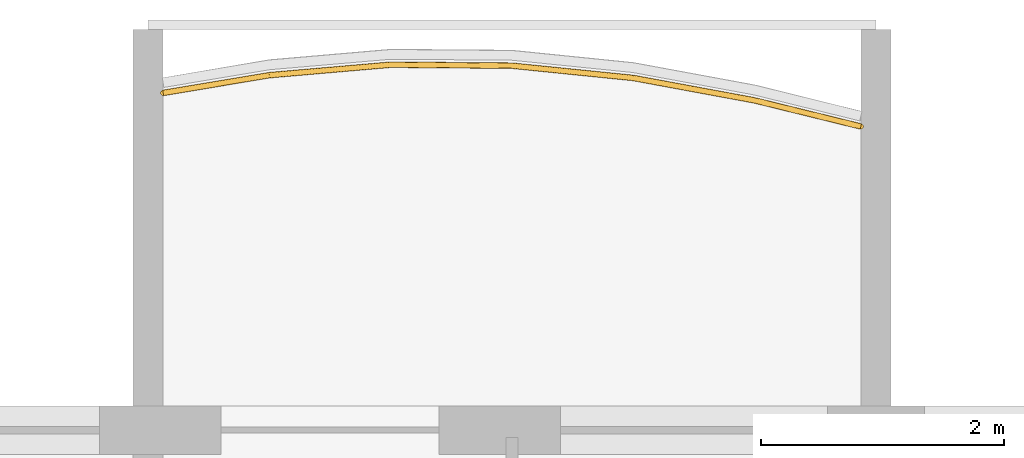
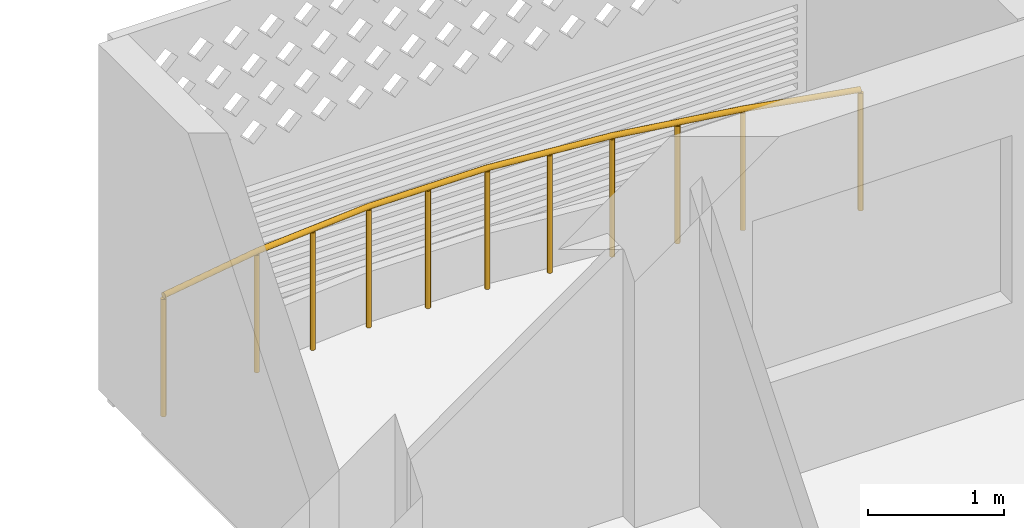
# One storey, part 20 of 27: 1 railing.
"""IFC4 building model written with IfcOpenShell, lengths in metres."""

from ifc_helpers import new_model, si_unit, direction, frame, origin, origin_2d, place, context, subcontext, project, spatial, circle, extrude, material, type_object, element, save


model = new_model("IFC4")

# Units and contexts
model_context = context("Model", 3, precision=1e-05, world=origin(), true_north=direction((0.0, 1.0)))
body_context = subcontext(model_context, "Body", "Model", "MODEL_VIEW")
ifc_project = project(units=[si_unit("LENGTHUNIT", "METRE"), si_unit("AREAUNIT", "SQUARE_METRE"), si_unit("VOLUMEUNIT", "CUBIC_METRE"), si_unit("PLANEANGLEUNIT", "RADIAN"), si_unit("MASSUNIT", "GRAM", prefix="KILO")], contexts=[model_context])

# Site, building, storey
site_placement = place(None, origin())
site = spatial("IfcSite", under=ifc_project, at=site_placement, CompositionType="ELEMENT")
building_placement = place(site_placement, origin())
building = spatial("IfcBuilding", under=site, at=building_placement, Name="Poui Terraces", CompositionType="ELEMENT")
storey_placement = place(building_placement, frame((0.0, 0.0, 195.0)))
storey = spatial("IfcBuildingStorey", under=building, at=storey_placement, Name="L54", CompositionType="ELEMENT", Elevation=195.0)

# Railing
ifc_material = material(Name="Painted steel fretwork", Category="steel")
railing_type = type_object("IfcRailingType", Name="BALCONY GUARD 1100", PredefinedType="GUARDRAIL", material=ifc_material)
railing_placement = place(storey_placement, frame((42.125, 43.97900390625, 0.0)))
element("IfcRailing", 1, at=railing_placement, inside=storey, type_object=railing_type, Name="BALCONY GUARD", PredefinedType="GUARDRAIL", context=body_context, shape_type="SweptSolid", body=[
    extrude(circle(Radius=0.02392578125, at=origin_2d()), frame((0.0, 0.0, 1.076171875), z_axis=(0.986319444302, 0.164845241947, 0.0), x_axis=(-0.164845241947, 0.986319444302, 0.0)), (0.0, 0.0, 1.0), 0.88720703125),
    extrude(circle(Radius=0.02392578125, at=origin_2d()), frame((0.875, 0.146240234375, 1.076171875), z_axis=(0.996286084847, 0.086104803231, 0.0), x_axis=(-0.086104803231, 0.996286084847, 0.0)), (0.0, 0.0, 1.0), 1.003662109375),
    extrude(circle(Radius=0.02392578125, at=origin_2d()), frame((1.875, 0.232666015625, 1.076171875), z_axis=(0.999967546851, -0.008056379162, 0.0), x_axis=(0.008056379162, 0.999967546851, 0.0)), (0.0, 0.0, 1.0), 1.0),
    extrude(circle(Radius=0.02392578125, at=origin_2d()), frame((2.875, 0.224609375, 1.076171875), z_axis=(0.994906476978, -0.100802291979, 0.0), x_axis=(0.100802291979, 0.994906476978, 0.0)), (0.0, 0.0, 1.0), 1.005126953125),
    extrude(circle(Radius=0.02392578125, at=origin_2d()), frame((3.875, 0.123291015625, 1.076171875), z_axis=(0.983347214192, -0.181736777623, 0.0), x_axis=(0.181736777623, 0.983347214192, 0.0)), (0.0, 0.0, 1.0), 1.016845703125),
    extrude(circle(Radius=0.02392578125, at=origin_2d()), frame((4.875, -0.0615234375, 1.076171875), z_axis=(0.971154038522, -0.23845300053, 0.0), x_axis=(0.23845300053, 0.971154038522, 0.0)), (0.0, 0.0, 1.0), 0.90087890625),
    extrude(circle(Radius=0.02099609375, at=origin_2d()), origin(), (0.0, 0.0, 1.0), 1.052001953125),
    extrude(circle(Radius=0.02099609375, at=origin_2d()), frame((0.875, 0.146240234375, 0.0)), (0.0, 0.0, 1.0), 1.052001953125),
    extrude(circle(Radius=0.02099609375, at=origin_2d()), frame((1.375, 0.189453125, 0.0)), (0.0, 0.0, 1.0), 1.052001953125),
    extrude(circle(Radius=0.02099609375, at=origin_2d()), frame((1.875, 0.232666015625, 0.0)), (0.0, 0.0, 1.0), 1.052001953125),
    extrude(circle(Radius=0.02099609375, at=origin_2d()), frame((2.375, 0.228515625, 0.0)), (0.0, 0.0, 1.0), 1.052001953125),
    extrude(circle(Radius=0.02099609375, at=origin_2d()), frame((2.875, 0.224609375, 0.0)), (0.0, 0.0, 1.0), 1.052001953125),
    extrude(circle(Radius=0.02099609375, at=origin_2d()), frame((3.375, 0.173828125, 0.0)), (0.0, 0.0, 1.0), 1.052001953125),
    extrude(circle(Radius=0.02099609375, at=origin_2d()), frame((3.875, 0.123291015625, 0.0)), (0.0, 0.0, 1.0), 1.052001953125),
    extrude(circle(Radius=0.02099609375, at=origin_2d()), frame((4.375, 0.03076171875, 0.0)), (0.0, 0.0, 1.0), 1.052001953125),
    extrude(circle(Radius=0.02099609375, at=origin_2d()), frame((4.875, -0.0615234375, 0.0)), (0.0, 0.0, 1.0), 1.052001953125),
    extrude(circle(Radius=0.02099609375, at=origin_2d()), frame((5.75, -0.2763671875, 0.0)), (0.0, 0.0, 1.0), 1.052001953125),
])

save(model, "model.ifc")
